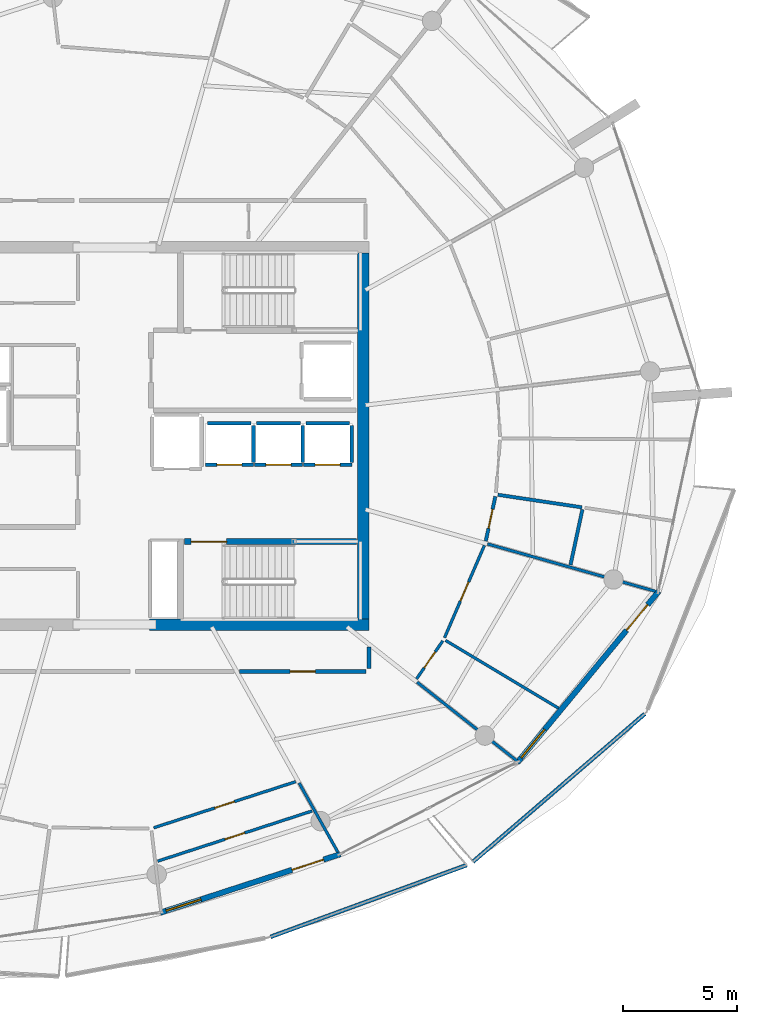
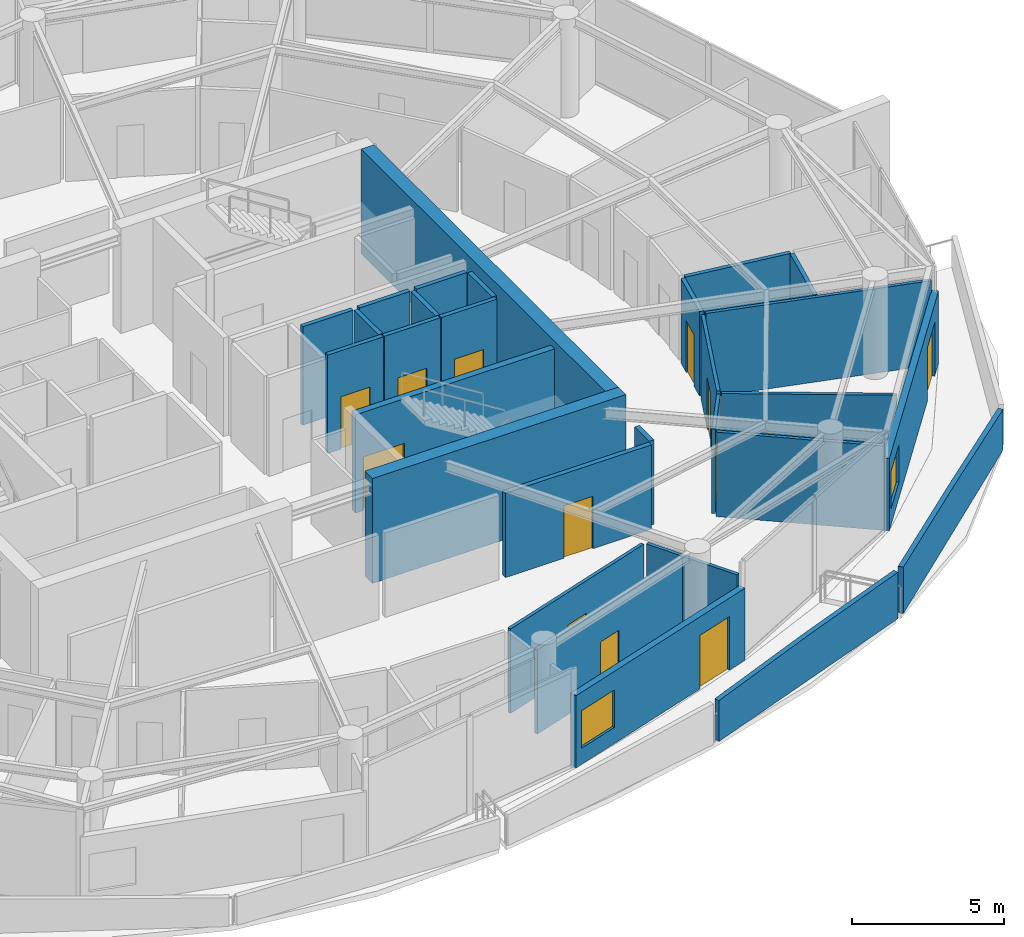
# One storey, part 12 of 20: 29 walls, 12 doors, 2 windows, 14 openings.
"""IFC4 building model written with IfcOpenShell, lengths in metres."""

from ifc_helpers import new_model, si_unit, direction, frame, frame_2d, origin, place, context, subcontext, project, spatial, polyline, rectangle, outline, extrude, material, layer, layer_set, type_object, element, fill, save


model = new_model("IFC4")

# Units and contexts
model_context = context("Model", 3, precision=1e-05, world=origin(), true_north=direction((0.0, 1.0)))
body_context = subcontext(model_context, "Body", "Model", "MODEL_VIEW")
ifc_project = project(units=[si_unit("LENGTHUNIT", "METRE"), si_unit("AREAUNIT", "SQUARE_METRE"), si_unit("VOLUMEUNIT", "CUBIC_METRE"), si_unit("PLANEANGLEUNIT", "RADIAN"), si_unit("MASSUNIT", "GRAM", prefix="KILO")], contexts=[model_context])

# Site, building, storey
site_placement = place(None, origin())
site = spatial("IfcSite", under=ifc_project, at=site_placement, CompositionType="ELEMENT")
building_placement = place(site_placement, origin())
building = spatial("IfcBuilding", under=site, at=building_placement, Name="Kazma Halo Residences", CompositionType="ELEMENT")
storey_placement = place(building_placement, frame((0.0, 0.0, 317.89990234375)))
storey = spatial("IfcBuildingStorey", under=building, at=storey_placement, Name="L80", CompositionType="ELEMENT", Elevation=317.89990234375)

# Walls
ifc_material_1 = material(Name="White Concrete C50/60 Balustrade", Category="concrete")
ifc_layer_1 = layer(ifc_material_1, 0.179931640625)
ifc_layer_set_1 = layer_set([ifc_layer_1], Name="White Concrete C50/60 Balustrade")
wall_type_1 = type_object("IfcWallType", Name="WL-BAL-WAVE-180", PredefinedType="PARAPET", material=ifc_layer_set_1)
wall_1_placement = place(storey_placement, frame((55.24658203125, 20.085205078125, 0.0), z_axis=(0.0, 0.0, 1.0), x_axis=(0.939115079022, 0.343602776987, 0.0)))
element("IfcWall", 1, at=wall_1_placement, inside=storey, type_object=wall_type_1, Name="L80 white wave balustrade wall SSE.2", PredefinedType="PARAPET", context=body_context, shape_type="SweptSolid", body=[
    extrude(outline(polyline([(0.0, 0.0), (9.14599609375, 0.0), (9.14599609375, 1.860107421875), (4.572998046875, 1.798095703125), (0.0, 1.632080078125), (0.0, 0.0)])), frame((0.0, 0.08984375, 0.0), z_axis=(0.0, -1.0, 0.0), x_axis=(1.0, 0.0, 0.0)), (0.0, 0.0, 1.0), 0.179931640625),
])
wall_2_placement = place(storey_placement, frame((64.107177734375, 23.37255859375, 0.0), z_axis=(0.0, 0.0, 1.0), x_axis=(0.757886838831, 0.652386035662, 0.0)))
element("IfcWall", 2, at=wall_2_placement, inside=storey, type_object=wall_type_1, Name="L80 white wave balustrade wall SE.1", PredefinedType="PARAPET", context=body_context, shape_type="SweptSolid", body=[
    extrude(outline(polyline([(0.0, 0.0), (9.91357421875, 0.0), (9.913818359375, 1.632080078125), (4.956787109375, 1.798095703125), (0.0, 1.860107421875), (0.0, 0.0)])), frame((0.0, 0.08984375, 0.0), z_axis=(0.0, -1.0, 0.0), x_axis=(1.0, 0.0, 0.0)), (0.0, 0.0, 1.0), 0.179931640625),
])
ifc_material_2 = material(Name="Concrete C60/75", Category="concrete")
ifc_layer_2 = layer(ifc_material_2, 0.5)
ifc_layer_set_2 = layer_set([ifc_layer_2], Name="Concrete C60/75")
wall_type_2 = type_object("IfcWallType", Name="WL-CORE-500", PredefinedType="SHEAR", material=ifc_layer_set_2)
wall_3_placement = place(storey_placement, frame((49.949951171875, 33.75, 0.0), z_axis=(0.0, 0.0, 1.0), x_axis=(1.0, 0.0, 0.0)))
element("IfcWall", 3, at=wall_3_placement, inside=storey, type_object=wall_type_2, Name="L80 central core shear wall SE", PredefinedType="SHEAR", context=body_context, shape_type="SweptSolid", body=[
    extrude(rectangle(XDim=9.60009765625, YDim=0.5, at=frame_2d((4.800048828125, 0.0))), origin(), (0.0, 0.0, 1.0), 4.2001953125),
])
wall_4_placement = place(storey_placement, frame((59.300048828125, 34.0, 0.0), z_axis=(0.0, 0.0, 1.0), x_axis=(0.0, 1.0, 0.0)))
element("IfcWall", 4, at=wall_4_placement, inside=storey, type_object=wall_type_2, Name="L80 central core shear wall E", PredefinedType="SHEAR", context=body_context, shape_type="SweptSolid", body=[
    extrude(rectangle(XDim=16.0, YDim=0.5, at=frame_2d((8.0, 0.0))), origin(), (0.0, 0.0, 1.0), 4.2001953125),
])

# Wall, opening, door
ifc_material_3 = material(Name="Acoustic Twin-Stud Gypsum")
ifc_layer_3 = layer(ifc_material_3, 0.179931640625)
ifc_layer_set_3 = layer_set([ifc_layer_3], Name="Acoustic Twin-Stud Gypsum")
wall_type_3 = type_object("IfcWallType", Name="WL-DEM-180", PredefinedType="PARTITIONING", material=ifc_layer_set_3)
wall_5_placement = place(storey_placement, frame((53.88818359375, 31.699951171875, 0.0), z_axis=(0.0, 0.0, 1.0), x_axis=(1.0, 0.0, 0.0)))
wall_5 = element("IfcWall", 5, at=wall_5_placement, inside=storey, type_object=wall_type_3, Name="L80 Penthouse 2 entrance corridor wall", PredefinedType="PARTITIONING", context=body_context, shape_type="SweptSolid", body=[
    extrude(rectangle(XDim=5.541748046875, YDim=0.179931640625, at=frame_2d((2.77099609375, 0.0))), origin(), (0.0, 0.0, 1.0), 3.380126953125),
])
opening_1_placement = place(wall_5_placement, frame((2.220703125, 0.0, 0.0)))
opening_1 = element("IfcOpeningElement", 6, at=opening_1_placement, cuts=wall_5, Name="Opening DA-1100", PredefinedType="OPENING", context=body_context, shape_type="SweptSolid", body=[
    extrude(rectangle(XDim=1.10009765625, YDim=2.10009765625, at=frame_2d((0.550048828125, 1.050048828125))), frame((0.0, 0.099853515625, 0.0), z_axis=(0.0, -1.0, 0.0), x_axis=(1.0, 0.0, 0.0)), (0.0, 0.0, 1.0), 0.199951171875),
])
ifc_material_4 = material(Name="Acoustic Walnut Fire Leaf")
door_type_1 = type_object("IfcDoorType", Name="DR-FD60-1100", OperationType="NOTDEFINED", PredefinedType="DOOR", material=ifc_material_4)
door_1_placement = place(opening_1_placement, origin())
door_1 = element("IfcDoor", 7, at=door_1_placement, inside=storey, type_object=door_type_1, Name="L80 Penthouse 2 entrance fire door", OperationType="SINGLE_SWING_LEFT", OverallHeight=2.10009765625, OverallWidth=1.10009765625, PredefinedType="DOOR", context=body_context, shape_type="SweptSolid", body=[
    extrude(rectangle(XDim=1.10009765625, YDim=2.10009765625, at=frame_2d((0.550048828125, 1.050048828125))), frame((0.0, 0.02490234375, 0.0), z_axis=(0.0, -1.0, 0.0), x_axis=(1.0, 0.0, 0.0)), (0.0, 0.0, 1.0), 0.050048828125),
])
fill(opening_1, door_1)

# Wall
wall_6_placement = place(storey_placement, frame((59.550048828125, 31.820068359375, 0.0), z_axis=(0.0, 0.0, 1.0), x_axis=(0.0, 1.0, 0.0)))
element("IfcWall", 8, at=wall_6_placement, inside=storey, type_object=wall_type_3, Name="L80 Penthouse 2 entrance corridor wall", PredefinedType="PARTITIONING", context=body_context, shape_type="SweptSolid", body=[
    extrude(rectangle(XDim=0.95458984375, YDim=0.179931640625, at=frame_2d((0.477294921875, 0.0))), origin(), (0.0, 0.0, 1.0), 3.380126953125),
])

# Wall, openings, door, window
ifc_material_5 = material(Name="Insulated Pale-Metal Composite Wall")
ifc_layer_4 = layer(ifc_material_5, 0.239990234375)
ifc_layer_set_4 = layer_set([ifc_layer_4], Name="Insulated Pale-Metal Composite Wall")
wall_type_4 = type_object("IfcWallType", Name="WL-EXT-HOST-240", PredefinedType="SOLIDWALL", material=ifc_layer_set_4)
wall_7_placement = place(storey_placement, frame((50.419189453125, 21.142578125, 0.0), z_axis=(0.0, 0.0, 1.0), x_axis=(0.951053547111, 0.309026132434, 0.0)))
wall_7 = element("IfcWall", 9, at=wall_7_placement, inside=storey, type_object=wall_type_4, Name="L80 exterior terrace-access wall B12", PredefinedType="SOLIDWALL", context=body_context, shape_type="SweptSolid", body=[
    extrude(rectangle(XDim=8.2890625, YDim=0.239990234375, at=frame_2d((4.14453125, 0.0))), origin(), (0.0, 0.0, 1.0), 2.89013671875),
])
opening_2_placement = place(wall_7_placement, frame((6.06884765625, 0.0, 0.0)))
opening_2 = element("IfcOpeningElement", 10, at=opening_2_placement, cuts=wall_7, Name="Opening DTR-1600", PredefinedType="OPENING", context=body_context, shape_type="SweptSolid", body=[
    extrude(rectangle(XDim=1.449951171875, YDim=2.14990234375, at=frame_2d((0.72509765625, 1.074951171875))), frame((0.0, 0.1298828125, 0.0), z_axis=(0.0, -1.0, 0.0), x_axis=(1.0, 0.0, 0.0)), (0.0, 0.0, 1.0), 0.260009765625),
])
opening_3_placement = place(wall_7_placement, frame((0.280029296875, 0.0, 0.64990234375)))
opening_3 = element("IfcOpeningElement", 11, at=opening_3_placement, cuts=wall_7, Name="Opening W-1800", PredefinedType="OPENING", context=body_context, shape_type="SweptSolid", body=[
    extrude(rectangle(XDim=1.60009765625, YDim=1.5, at=frame_2d((0.800048828125, 0.75))), frame((0.0, 0.1298828125, 0.0), z_axis=(0.0, -1.0, 0.0), x_axis=(1.0, 0.0, 0.0)), (0.0, 0.0, 1.0), 0.260009765625),
])
ifc_material_6 = material(Name="Aluminium AW-6063 T6 Double-Glazed Terrace Door", Category="aluminium")
door_type_2 = type_object("IfcDoorType", Name="DR-EXT-TERR-1600", OperationType="NOTDEFINED", PredefinedType="DOOR", material=ifc_material_6)
door_2_placement = place(opening_2_placement, origin())
door_2 = element("IfcDoor", 12, at=door_2_placement, inside=storey, type_object=door_type_2, Name="L80 B12 balcony terrace door", OperationType="DOUBLE_DOOR_SLIDING", OverallHeight=2.14990234375, OverallWidth=1.449951171875, PredefinedType="DOOR", context=body_context, shape_type="SweptSolid", body=[
    extrude(rectangle(XDim=1.449951171875, YDim=2.14990234375, at=frame_2d((0.72509765625, 1.074951171875))), frame((0.0, 0.02490234375, 0.0), z_axis=(0.0, -1.0, 0.0), x_axis=(1.0, 0.0, 0.0)), (0.0, 0.0, 1.0), 0.050048828125),
])
fill(opening_2, door_2)
ifc_material_7 = material(Name="Clear Triple-Silver Low-E Glass in Aluminium AW-6063 T6 Frame", Category="aluminium")
window_type = type_object("IfcWindowType", Name="WIN-RES-1800", PartitioningType="DOUBLE_PANEL_VERTICAL", PredefinedType="WINDOW", material=ifc_material_7)
window_1_placement = place(opening_3_placement, origin())
window_1 = element("IfcWindow", 13, at=window_1_placement, inside=storey, type_object=window_type, Name="L80 B12 apartment window", OverallHeight=1.5, OverallWidth=1.60009765625, PartitioningType="SINGLE_PANEL", PredefinedType="WINDOW", context=body_context, shape_type="SweptSolid", body=[
    extrude(rectangle(XDim=1.60009765625, YDim=1.5, at=frame_2d((0.800048828125, 0.75))), frame((0.0, 0.030029296875, 0.0), z_axis=(0.0, -1.0, 0.0), x_axis=(1.0, 0.0, 0.0)), (0.0, 0.0, 1.0), 0.06005859375),
])
fill(opening_3, window_1)

wall_8_placement = place(storey_placement, frame((66.044677734375, 27.711181640625, 0.0), z_axis=(0.0, 0.0, 1.0), x_axis=(0.636803612721, 0.771026042897, 0.0)))
wall_8 = element("IfcWall", 14, at=wall_8_placement, inside=storey, type_object=wall_type_4, Name="L80 exterior terrace-access wall B14", PredefinedType="SOLIDWALL", context=body_context, shape_type="SweptSolid", body=[
    extrude(rectangle(XDim=9.7275390625, YDim=0.239990234375, at=frame_2d((4.86376953125, 0.0))), origin(), (0.0, 0.0, 1.0), 2.89013671875),
])
opening_4_placement = place(wall_8_placement, frame((7.5078125, 0.0, 0.0)))
opening_4 = element("IfcOpeningElement", 15, at=opening_4_placement, cuts=wall_8, Name="Opening DTR-1600", PredefinedType="OPENING", context=body_context, shape_type="SweptSolid", body=[
    extrude(rectangle(XDim=1.449951171875, YDim=2.14990234375, at=frame_2d((0.72509765625, 1.074951171875))), frame((0.0, 0.1298828125, 0.0), z_axis=(0.0, -1.0, 0.0), x_axis=(1.0, 0.0, 0.0)), (0.0, 0.0, 1.0), 0.260009765625),
])
opening_5_placement = place(wall_8_placement, frame((0.280029296875, 0.0, 0.64990234375)))
opening_5 = element("IfcOpeningElement", 16, at=opening_5_placement, cuts=wall_8, Name="Opening W-1800", PredefinedType="OPENING", context=body_context, shape_type="SweptSolid", body=[
    extrude(rectangle(XDim=1.60009765625, YDim=1.5, at=frame_2d((0.800048828125, 0.75))), frame((0.0, 0.1298828125, 0.0), z_axis=(0.0, -1.0, 0.0), x_axis=(1.0, 0.0, 0.0)), (0.0, 0.0, 1.0), 0.260009765625),
])
door_3_placement = place(opening_4_placement, origin())
door_3 = element("IfcDoor", 17, at=door_3_placement, inside=storey, type_object=door_type_2, Name="L80 B14 balcony terrace door", OperationType="DOUBLE_DOOR_SLIDING", OverallHeight=2.14990234375, OverallWidth=1.449951171875, PredefinedType="DOOR", context=body_context, shape_type="SweptSolid", body=[
    extrude(rectangle(XDim=1.449951171875, YDim=2.14990234375, at=frame_2d((0.72509765625, 1.074951171875))), frame((0.0, 0.02490234375, 0.0), z_axis=(0.0, -1.0, 0.0), x_axis=(1.0, 0.0, 0.0)), (0.0, 0.0, 1.0), 0.050048828125),
])
fill(opening_4, door_3)
window_2_placement = place(opening_5_placement, origin())
window_2 = element("IfcWindow", 18, at=window_2_placement, inside=storey, type_object=window_type, Name="L80 B14 apartment window", OverallHeight=1.5, OverallWidth=1.60009765625, PartitioningType="SINGLE_PANEL", PredefinedType="WINDOW", context=body_context, shape_type="SweptSolid", body=[
    extrude(rectangle(XDim=1.60009765625, YDim=1.5, at=frame_2d((0.800048828125, 0.75))), frame((0.0, 0.030029296875, 0.0), z_axis=(0.0, -1.0, 0.0), x_axis=(1.0, 0.0, 0.0)), (0.0, 0.0, 1.0), 0.06005859375),
])
fill(opening_5, window_2)

# Wall, opening, door
ifc_material_8 = material(Name="Fire-Rated Blockwork Masonry", Category="masonry")
ifc_layer_5 = layer(ifc_material_8, 0.199951171875)
ifc_layer_set_5 = layer_set([ifc_layer_5], Name="Fire-Rated Blockwork Masonry")
wall_type_5 = type_object("IfcWallType", Name="WL-FLB-200", PredefinedType="PARTITIONING", material=ifc_layer_set_5)
wall_9_placement = place(storey_placement, frame((54.5048828125, 40.7451171875, 0.0), z_axis=(0.0, 0.0, 1.0), x_axis=(-1.0, 0.0, 0.0)))
wall_9 = element("IfcWall", 19, at=wall_9_placement, inside=storey, type_object=wall_type_5, Name="L80 lift shaft PH-01 front wall", PredefinedType="PARTITIONING", context=body_context, shape_type="SweptSolid", body=[
    extrude(rectangle(XDim=2.10986328125, YDim=0.159912109375, at=frame_2d((1.054931640625, 0.0))), origin(), (0.0, 0.0, 1.0), 3.940185546875),
])
opening_6_placement = place(wall_9_placement, frame((0.5048828125, 0.0, 0.0)))
opening_6 = element("IfcOpeningElement", 20, at=opening_6_placement, cuts=wall_9, Name="Opening LD-PH-01", PredefinedType="OPENING", context=body_context, shape_type="SweptSolid", body=[
    extrude(rectangle(XDim=1.10009765625, YDim=2.10009765625, at=frame_2d((0.550048828125, 1.050048828125))), frame((0.0, 0.08984375, 0.0), z_axis=(0.0, -1.0, 0.0), x_axis=(1.0, 0.0, 0.0)), (0.0, 0.0, 1.0), 0.179931640625),
])
ifc_material_9 = material(Name="Stainless Steel Fire-Rated", Category="steel")
door_type_3 = type_object("IfcDoorType", Name="DR-LIFT-SLD-1100", OperationType="DOUBLE_DOOR_SLIDING", PredefinedType="DOOR", material=ifc_material_9)
door_4_placement = place(opening_6_placement, origin())
door_4 = element("IfcDoor", 21, at=door_4_placement, inside=storey, type_object=door_type_3, Name="L80 lift PH-01 sliding landing door", OperationType="DOUBLE_DOOR_SLIDING", OverallHeight=2.10009765625, OverallWidth=1.10009765625, PredefinedType="DOOR", context=body_context, shape_type="SweptSolid", body=[
    extrude(rectangle(XDim=1.10009765625, YDim=2.10009765625, at=frame_2d((0.550048828125, 1.050048828125))), frame((0.0, 0.02490234375, 0.0), z_axis=(0.0, -1.0, 0.0), x_axis=(1.0, 0.0, 0.0)), (0.0, 0.0, 1.0), 0.050048828125),
])
fill(opening_6, door_4)

# Walls
wall_10_placement = place(storey_placement, frame((54.5048828125, 40.844970703125, 0.0), z_axis=(0.0, 0.0, 1.0), x_axis=(0.0, 1.0, 0.0)))
element("IfcWall", 22, at=wall_10_placement, inside=storey, type_object=wall_type_5, Name="L80 lift shaft PH-01 side wall E", PredefinedType="PARTITIONING", context=body_context, shape_type="SweptSolid", body=[
    extrude(rectangle(XDim=1.610107421875, YDim=0.159912109375, at=frame_2d((0.80517578125, 0.0))), origin(), (0.0, 0.0, 1.0), 3.940185546875),
])
wall_11_placement = place(storey_placement, frame((52.4951171875, 42.554931640625, 0.0), z_axis=(0.0, 0.0, 1.0), x_axis=(1.0, 0.0, 0.0)))
element("IfcWall", 23, at=wall_11_placement, inside=storey, type_object=wall_type_5, Name="L80 lift shaft PH-01 side wall N", PredefinedType="PARTITIONING", context=body_context, shape_type="SweptSolid", body=[
    extrude(rectangle(XDim=1.909912109375, YDim=0.159912109375, at=frame_2d((0.955078125, 0.0))), origin(), (0.0, 0.0, 1.0), 3.940185546875),
])

# Wall, opening, door
wall_12_placement = place(storey_placement, frame((56.655029296875, 40.7451171875, 0.0), z_axis=(0.0, 0.0, 1.0), x_axis=(-1.0, 0.0, 0.0)))
wall_12 = element("IfcWall", 24, at=wall_12_placement, inside=storey, type_object=wall_type_5, Name="L80 lift shaft PH-02 front wall", PredefinedType="PARTITIONING", context=body_context, shape_type="SweptSolid", body=[
    extrude(rectangle(XDim=2.110107421875, YDim=0.159912109375, at=frame_2d((1.05517578125, 0.0))), origin(), (0.0, 0.0, 1.0), 3.940185546875),
])
opening_7_placement = place(wall_12_placement, frame((0.5048828125, 0.0, 0.0)))
opening_7 = element("IfcOpeningElement", 25, at=opening_7_placement, cuts=wall_12, Name="Opening LD-PH-02", PredefinedType="OPENING", context=body_context, shape_type="SweptSolid", body=[
    extrude(rectangle(XDim=1.10009765625, YDim=2.10009765625, at=frame_2d((0.550048828125, 1.050048828125))), frame((0.0, 0.08984375, 0.0), z_axis=(0.0, -1.0, 0.0), x_axis=(1.0, 0.0, 0.0)), (0.0, 0.0, 1.0), 0.179931640625),
])
door_5_placement = place(opening_7_placement, origin())
door_5 = element("IfcDoor", 26, at=door_5_placement, inside=storey, type_object=door_type_3, Name="L80 lift PH-02 sliding landing door", OperationType="DOUBLE_DOOR_SLIDING", OverallHeight=2.10009765625, OverallWidth=1.10009765625, PredefinedType="DOOR", context=body_context, shape_type="SweptSolid", body=[
    extrude(rectangle(XDim=1.10009765625, YDim=2.10009765625, at=frame_2d((0.550048828125, 1.050048828125))), frame((0.0, 0.02490234375, 0.0), z_axis=(0.0, -1.0, 0.0), x_axis=(1.0, 0.0, 0.0)), (0.0, 0.0, 1.0), 0.050048828125),
])
fill(opening_7, door_5)

# Walls
wall_13_placement = place(storey_placement, frame((56.655029296875, 40.844970703125, 0.0), z_axis=(0.0, 0.0, 1.0), x_axis=(0.0, 1.0, 0.0)))
element("IfcWall", 27, at=wall_13_placement, inside=storey, type_object=wall_type_5, Name="L80 lift shaft PH-02 side wall E", PredefinedType="PARTITIONING", context=body_context, shape_type="SweptSolid", body=[
    extrude(rectangle(XDim=1.610107421875, YDim=0.159912109375, at=frame_2d((0.80517578125, 0.0))), origin(), (0.0, 0.0, 1.0), 3.940185546875),
])
wall_14_placement = place(storey_placement, frame((54.64501953125, 42.554931640625, 0.0), z_axis=(0.0, 0.0, 1.0), x_axis=(1.0, 0.0, 0.0)))
element("IfcWall", 28, at=wall_14_placement, inside=storey, type_object=wall_type_5, Name="L80 lift shaft PH-02 side wall N", PredefinedType="PARTITIONING", context=body_context, shape_type="SweptSolid", body=[
    extrude(rectangle(XDim=1.909912109375, YDim=0.159912109375, at=frame_2d((0.955078125, 0.0))), origin(), (0.0, 0.0, 1.0), 3.940185546875),
])

# Wall, opening, door
wall_15_placement = place(storey_placement, frame((58.804931640625, 40.7451171875, 0.0), z_axis=(0.0, 0.0, 1.0), x_axis=(-1.0, 0.0, 0.0)))
wall_15 = element("IfcWall", 29, at=wall_15_placement, inside=storey, type_object=wall_type_5, Name="L80 lift shaft PH-03 front wall", PredefinedType="PARTITIONING", context=body_context, shape_type="SweptSolid", body=[
    extrude(rectangle(XDim=2.10986328125, YDim=0.159912109375, at=frame_2d((1.054931640625, 0.0))), origin(), (0.0, 0.0, 1.0), 3.940185546875),
])
opening_8_placement = place(wall_15_placement, frame((0.5048828125, 0.0, 0.0)))
opening_8 = element("IfcOpeningElement", 30, at=opening_8_placement, cuts=wall_15, Name="Opening LD-PH-03", PredefinedType="OPENING", context=body_context, shape_type="SweptSolid", body=[
    extrude(rectangle(XDim=1.10009765625, YDim=2.10009765625, at=frame_2d((0.550048828125, 1.050048828125))), frame((0.0, 0.08984375, 0.0), z_axis=(0.0, -1.0, 0.0), x_axis=(1.0, 0.0, 0.0)), (0.0, 0.0, 1.0), 0.179931640625),
])
door_6_placement = place(opening_8_placement, origin())
door_6 = element("IfcDoor", 31, at=door_6_placement, inside=storey, type_object=door_type_3, Name="L80 lift PH-03 sliding landing door", OperationType="DOUBLE_DOOR_SLIDING", OverallHeight=2.10009765625, OverallWidth=1.10009765625, PredefinedType="DOOR", context=body_context, shape_type="SweptSolid", body=[
    extrude(rectangle(XDim=1.10009765625, YDim=2.10009765625, at=frame_2d((0.550048828125, 1.050048828125))), frame((0.0, 0.02490234375, 0.0), z_axis=(0.0, -1.0, 0.0), x_axis=(1.0, 0.0, 0.0)), (0.0, 0.0, 1.0), 0.050048828125),
])
fill(opening_8, door_6)

# Walls
wall_16_placement = place(storey_placement, frame((58.804931640625, 40.844970703125, 0.0), z_axis=(0.0, 0.0, 1.0), x_axis=(0.0, 1.0, 0.0)))
element("IfcWall", 32, at=wall_16_placement, inside=storey, type_object=wall_type_5, Name="L80 lift shaft PH-03 side wall E", PredefinedType="PARTITIONING", context=body_context, shape_type="SweptSolid", body=[
    extrude(rectangle(XDim=1.610107421875, YDim=0.159912109375, at=frame_2d((0.80517578125, 0.0))), origin(), (0.0, 0.0, 1.0), 3.940185546875),
])
wall_17_placement = place(storey_placement, frame((56.794921875, 42.554931640625, 0.0), z_axis=(0.0, 0.0, 1.0), x_axis=(1.0, 0.0, 0.0)))
element("IfcWall", 33, at=wall_17_placement, inside=storey, type_object=wall_type_5, Name="L80 lift shaft PH-03 side wall N", PredefinedType="PARTITIONING", context=body_context, shape_type="SweptSolid", body=[
    extrude(rectangle(XDim=1.91015625, YDim=0.159912109375, at=frame_2d((0.955078125, 0.0))), origin(), (0.0, 0.0, 1.0), 3.940185546875),
])
ifc_material_10 = material(Name="Gypsum Plasterboard Partition")
ifc_layer_6 = layer(ifc_material_10, 0.125)
ifc_layer_set_6 = layer_set([ifc_layer_6], Name="Gypsum Plasterboard Partition")
wall_type_6 = type_object("IfcWallType", Name="WL-PART-125", PredefinedType="PARTITIONING", material=ifc_layer_set_6)
wall_18_placement = place(storey_placement, frame((56.5, 26.822021484375, 0.0), z_axis=(0.0, 0.0, 1.0), x_axis=(0.488618382742, -0.872497608047, 0.0)))
element("IfcWall", 34, at=wall_18_placement, inside=storey, type_object=wall_type_6, Name="L80 Penthouse 2 living radial partition 11", PredefinedType="PARTITIONING", context=body_context, shape_type="SweptSolid", body=[
    extrude(rectangle(XDim=3.466064453125, YDim=0.125, at=frame_2d((1.73291015625, 0.0))), origin(), (0.0, 0.0, 1.0), 3.380126953125),
])

# Wall, opening, door
wall_19_placement = place(storey_placement, frame((50.137451171875, 24.85791015625, 0.0), z_axis=(0.0, 0.0, 1.0), x_axis=(0.95106401822, 0.30899390487, 0.0)))
wall_19 = element("IfcWall", 35, at=wall_19_placement, inside=storey, type_object=wall_type_6, Name="L80 Penthouse 2 Inner Study hall wall", PredefinedType="PARTITIONING", context=body_context, shape_type="SweptSolid", body=[
    extrude(rectangle(XDim=6.52880859375, YDim=0.125, at=frame_2d((3.264404296875, 0.0))), origin(), (0.0, 0.0, 1.0), 3.380126953125),
])
opening_9_placement = place(wall_19_placement, frame((2.814208984375, 0.0, 0.0)))
opening_9 = element("IfcOpeningElement", 36, at=opening_9_placement, cuts=wall_19, Name="Opening DI-950", PredefinedType="OPENING", context=body_context, shape_type="SweptSolid", body=[
    extrude(rectangle(XDim=0.89990234375, YDim=2.080078125, at=frame_2d((0.449951171875, 1.0400390625))), frame((0.0, 0.072509765625, 0.0), z_axis=(0.0, -1.0, 0.0), x_axis=(1.0, 0.0, 0.0)), (0.0, 0.0, 1.0), 0.14501953125),
])
ifc_material_11 = material(Name="Timber Veneer Flush Leaf", Category="wood")
door_type_4 = type_object("IfcDoorType", Name="DR-INT-950", OperationType="NOTDEFINED", PredefinedType="DOOR", material=ifc_material_11)
door_7_placement = place(opening_9_placement, origin())
door_7 = element("IfcDoor", 37, at=door_7_placement, inside=storey, type_object=door_type_4, Name="L80 Penthouse 2 Inner Study door", OperationType="SINGLE_SWING_RIGHT", OverallHeight=2.080078125, OverallWidth=0.89990234375, PredefinedType="DOOR", context=body_context, shape_type="SweptSolid", body=[
    extrude(rectangle(XDim=0.89990234375, YDim=2.080078125, at=frame_2d((0.449951171875, 1.0400390625))), frame((0.0, 0.02490234375, 0.0), z_axis=(0.0, -1.0, 0.0), x_axis=(1.0, 0.0, 0.0)), (0.0, 0.0, 1.0), 0.050048828125),
])
fill(opening_9, door_7)

wall_20_placement = place(storey_placement, frame((50.310302734375, 23.398193359375, 0.0), z_axis=(0.0, 0.0, 1.0), x_axis=(0.951062105288, 0.308999792693, 0.0)))
wall_20 = element("IfcWall", 38, at=wall_20_placement, inside=storey, type_object=wall_type_6, Name="L80 Penthouse 2 Outer Bedroom divider wall", PredefinedType="PARTITIONING", context=body_context, shape_type="SweptSolid", body=[
    extrude(rectangle(XDim=7.102294921875, YDim=0.125, at=frame_2d((3.55126953125, 0.0))), origin(), (0.0, 0.0, 1.0), 3.380126953125),
])
opening_10_placement = place(wall_20_placement, frame((3.10107421875, 0.0, 0.0)))
opening_10 = element("IfcOpeningElement", 39, at=opening_10_placement, cuts=wall_20, Name="Opening DI-950", PredefinedType="OPENING", context=body_context, shape_type="SweptSolid", body=[
    extrude(rectangle(XDim=0.89990234375, YDim=2.080078125, at=frame_2d((0.449951171875, 1.0400390625))), frame((0.0, 0.072509765625, 0.0), z_axis=(0.0, -1.0, 0.0), x_axis=(1.0, 0.0, 0.0)), (0.0, 0.0, 1.0), 0.14501953125),
])
door_8_placement = place(opening_10_placement, origin())
door_8 = element("IfcDoor", 40, at=door_8_placement, inside=storey, type_object=door_type_4, Name="L80 Penthouse 2 Outer Bedroom door", OperationType="SINGLE_SWING_LEFT", OverallHeight=2.080078125, OverallWidth=0.89990234375, PredefinedType="DOOR", context=body_context, shape_type="SweptSolid", body=[
    extrude(rectangle(XDim=0.89990234375, YDim=2.080078125, at=frame_2d((0.449951171875, 1.0400390625))), frame((0.0, 0.02490234375, 0.0), z_axis=(0.0, -1.0, 0.0), x_axis=(1.0, 0.0, 0.0)), (0.0, 0.0, 1.0), 0.050048828125),
])
fill(opening_10, door_8)

# Walls
wall_21_placement = place(storey_placement, frame((61.661376953125, 31.230224609375, 0.0), z_axis=(0.0, 0.0, 1.0), x_axis=(0.785321366699, -0.61908832246, 0.0)))
element("IfcWall", 41, at=wall_21_placement, inside=storey, type_object=wall_type_6, Name="L80 Penthouse 2 radial partition 13", PredefinedType="PARTITIONING", context=body_context, shape_type="SweptSolid", body=[
    extrude(rectangle(XDim=5.59716796875, YDim=0.125, at=frame_2d((2.798583984375, 0.0))), origin(), (0.0, 0.0, 1.0), 3.380126953125),
])
wall_22_placement = place(storey_placement, frame((62.908935546875, 33.055908203125, 0.0), z_axis=(0.0, 0.0, 1.0), x_axis=(0.857530307065, -0.514433448043, 0.0)))
element("IfcWall", 42, at=wall_22_placement, inside=storey, type_object=wall_type_6, Name="L80 Penthouse 2 mid-bay wall 13", PredefinedType="PARTITIONING", context=body_context, shape_type="SweptSolid", body=[
    extrude(rectangle(XDim=5.762451171875, YDim=0.125, at=frame_2d((2.88134765625, 0.0))), origin(), (0.0, 0.0, 1.0), 3.380126953125),
])

# Wall, opening, door
wall_23_placement = place(storey_placement, frame((61.6396484375, 31.37451171875, 0.0), z_axis=(0.0, 0.0, 1.0), x_axis=(0.567882687213, 0.823109502778, 0.0)))
wall_23 = element("IfcWall", 43, at=wall_23_placement, inside=storey, type_object=wall_type_6, Name="L80 Penthouse 2 Corner Private Study hall wall", PredefinedType="PARTITIONING", context=body_context, shape_type="SweptSolid", body=[
    extrude(rectangle(XDim=2.019287109375, YDim=0.125, at=frame_2d((1.009765625, 0.0))), origin(), (0.0, 0.0, 1.0), 3.380126953125),
])
opening_11_placement = place(wall_23_placement, frame((0.584716796875, 0.0, 0.0)))
opening_11 = element("IfcOpeningElement", 44, at=opening_11_placement, cuts=wall_23, Name="Opening DB-900", PredefinedType="OPENING", context=body_context, shape_type="SweptSolid", body=[
    extrude(rectangle(XDim=0.85009765625, YDim=2.06005859375, at=frame_2d((0.425048828125, 1.030029296875))), frame((0.0, 0.072509765625, 0.0), z_axis=(0.0, -1.0, 0.0), x_axis=(1.0, 0.0, 0.0)), (0.0, 0.0, 1.0), 0.14501953125),
])
ifc_material_12 = material(Name="Moisture-Sealed Timber Leaf", Category="wood")
door_type_5 = type_object("IfcDoorType", Name="DR-BTH-900", OperationType="NOTDEFINED", PredefinedType="DOOR", material=ifc_material_12)
door_9_placement = place(opening_11_placement, origin())
door_9 = element("IfcDoor", 45, at=door_9_placement, inside=storey, type_object=door_type_5, Name="L80 Penthouse 2 Corner Private Study door", OperationType="SINGLE_SWING_RIGHT", OverallHeight=2.06005859375, OverallWidth=0.85009765625, PredefinedType="DOOR", context=body_context, shape_type="SweptSolid", body=[
    extrude(rectangle(XDim=0.85009765625, YDim=2.06005859375, at=frame_2d((0.425048828125, 1.030029296875))), frame((0.0, 0.02490234375, 0.0), z_axis=(0.0, -1.0, 0.0), x_axis=(1.0, 0.0, 0.0)), (0.0, 0.0, 1.0), 0.050048828125),
])
fill(opening_11, door_9)

wall_24_placement = place(storey_placement, frame((62.863525390625, 33.17578125, 0.0), z_axis=(0.0, 0.0, 1.0), x_axis=(0.396416875537, 0.918070618629, 0.0)))
wall_24 = element("IfcWall", 46, at=wall_24_placement, inside=storey, type_object=wall_type_6, Name="L80 Penthouse 2 Garden Master Bedroom hall wall", PredefinedType="PARTITIONING", context=body_context, shape_type="SweptSolid", body=[
    extrude(rectangle(XDim=4.39794921875, YDim=0.125, at=frame_2d((2.198974609375, 0.0))), origin(), (0.0, 0.0, 1.0), 3.380126953125),
])
opening_12_placement = place(wall_24_placement, frame((1.7490234375, 0.0, 0.0)))
opening_12 = element("IfcOpeningElement", 47, at=opening_12_placement, cuts=wall_24, Name="Opening DI-950", PredefinedType="OPENING", context=body_context, shape_type="SweptSolid", body=[
    extrude(rectangle(XDim=0.89990234375, YDim=2.080078125, at=frame_2d((0.449951171875, 1.0400390625))), frame((0.0, 0.072509765625, 0.0), z_axis=(0.0, -1.0, 0.0), x_axis=(1.0, 0.0, 0.0)), (0.0, 0.0, 1.0), 0.14501953125),
])
door_10_placement = place(opening_12_placement, origin())
door_10 = element("IfcDoor", 48, at=door_10_placement, inside=storey, type_object=door_type_4, Name="L80 Penthouse 2 Garden Master Bedroom door", OperationType="SINGLE_SWING_LEFT", OverallHeight=2.080078125, OverallWidth=0.89990234375, PredefinedType="DOOR", context=body_context, shape_type="SweptSolid", body=[
    extrude(rectangle(XDim=0.89990234375, YDim=2.080078125, at=frame_2d((0.449951171875, 1.0400390625))), frame((0.0, 0.02490234375, 0.0), z_axis=(0.0, -1.0, 0.0), x_axis=(1.0, 0.0, 0.0)), (0.0, 0.0, 1.0), 0.050048828125),
])
fill(opening_12, door_10)

# Wall
wall_25_placement = place(storey_placement, frame((64.742919921875, 37.278076171875, 0.0), z_axis=(0.0, 0.0, 1.0), x_axis=(0.962455248497, -0.271440407162, 0.0)))
element("IfcWall", 49, at=wall_25_placement, inside=storey, type_object=wall_type_6, Name="L80 Penthouse 2 radial partition 14", PredefinedType="PARTITIONING", context=body_context, shape_type="SweptSolid", body=[
    extrude(rectangle(XDim=7.630615234375, YDim=0.125, at=frame_2d((3.8154296875, 0.0))), origin(), (0.0, 0.0, 1.0), 3.380126953125),
])

# Wall, opening, door
ifc_material_13 = material(Name="Concrete C50/60", Category="concrete")
ifc_layer_7 = layer(ifc_material_13, 0.25)
ifc_layer_set_7 = layer_set([ifc_layer_7], Name="Concrete C50/60")
wall_type_7 = type_object("IfcWallType", Name="WL-SHF-250", PredefinedType="SOLIDWALL", material=ifc_layer_set_7)
wall_26_placement = place(storey_placement, frame((51.47998046875, 37.3798828125, 0.0), z_axis=(0.0, 0.0, 1.0), x_axis=(1.0, 0.0, 0.0)))
wall_26 = element("IfcWall", 50, at=wall_26_placement, inside=storey, type_object=wall_type_7, Name="L80 exit stair ST-03 enclosure wall", PredefinedType="SOLIDWALL", context=body_context, shape_type="SweptSolid", body=[
    extrude(rectangle(XDim=7.5400390625, YDim=0.25, at=frame_2d((3.77001953125, 0.0))), origin(), (0.0, 0.0, 1.0), 3.940185546875),
])
opening_13_placement = place(wall_26_placement, frame((0.300048828125, 0.0, 0.0)))
opening_13 = element("IfcOpeningElement", 51, at=opening_13_placement, cuts=wall_26, Name="Opening D-ST3", PredefinedType="OPENING", context=body_context, shape_type="SweptSolid", body=[
    extrude(rectangle(XDim=1.550048828125, YDim=2.14990234375, at=frame_2d((0.77490234375, 1.074951171875))), frame((0.0, 0.135009765625, 0.0), z_axis=(0.0, -1.0, 0.0), x_axis=(1.0, 0.0, 0.0)), (0.0, 0.0, 1.0), 0.27001953125),
])
ifc_material_14 = material(Name="Fire-Rated Double Steel Leaf", Category="steel")
door_type_6 = type_object("IfcDoorType", Name="DR-FD90-1550", OperationType="NOTDEFINED", PredefinedType="DOOR", material=ifc_material_14)
door_11_placement = place(opening_13_placement, origin())
door_11 = element("IfcDoor", 52, at=door_11_placement, inside=storey, type_object=door_type_6, Name="L80 exit stair ST-03 fire door", OperationType="DOUBLE_DOOR_SINGLE_SWING", OverallHeight=2.14990234375, OverallWidth=1.550048828125, PredefinedType="DOOR", context=body_context, shape_type="SweptSolid", body=[
    extrude(rectangle(XDim=1.550048828125, YDim=2.14990234375, at=frame_2d((0.77490234375, 1.074951171875))), frame((0.0, 0.02490234375, 0.0), z_axis=(0.0, -1.0, 0.0), x_axis=(1.0, 0.0, 0.0)), (0.0, 0.0, 1.0), 0.050048828125),
])
fill(opening_13, door_11)

ifc_material_15 = material(Name="Moisture-Resistant Gypsum")
ifc_layer_8 = layer(ifc_material_15, 0.14990234375)
ifc_layer_set_8 = layer_set([ifc_layer_8], Name="Moisture-Resistant Gypsum")
wall_type_8 = type_object("IfcWallType", Name="WL-WET-150", PredefinedType="PARTITIONING", material=ifc_layer_set_8)
wall_27_placement = place(storey_placement, frame((64.66748046875, 37.403076171875, 0.0), z_axis=(0.0, 0.0, 1.0), x_axis=(0.210189108437, 0.977660748263, 0.0)))
wall_27 = element("IfcWall", 53, at=wall_27_placement, inside=storey, type_object=wall_type_8, Name="L80 Penthouse 2 Sky En-Suite Bathroom hall wall", PredefinedType="PARTITIONING", context=body_context, shape_type="SweptSolid", body=[
    extrude(rectangle(XDim=1.99560546875, YDim=0.14990234375, at=frame_2d((0.997802734375, 0.0))), origin(), (0.0, 0.0, 1.0), 3.380126953125),
])
opening_14_placement = place(wall_27_placement, frame((0.57275390625, 0.0, 0.0)))
opening_14 = element("IfcOpeningElement", 54, at=opening_14_placement, cuts=wall_27, Name="Opening DB-900", PredefinedType="OPENING", context=body_context, shape_type="SweptSolid", body=[
    extrude(rectangle(XDim=0.85009765625, YDim=2.06005859375, at=frame_2d((0.425048828125, 1.030029296875))), frame((0.0, 0.0849609375, 0.0), z_axis=(0.0, -1.0, 0.0), x_axis=(1.0, 0.0, 0.0)), (0.0, 0.0, 1.0), 0.169921875),
])
door_12_placement = place(opening_14_placement, origin())
door_12 = element("IfcDoor", 55, at=door_12_placement, inside=storey, type_object=door_type_5, Name="L80 Penthouse 2 Sky En-Suite Bathroom door", OperationType="SINGLE_SWING_LEFT", OverallHeight=2.06005859375, OverallWidth=0.85009765625, PredefinedType="DOOR", context=body_context, shape_type="SweptSolid", body=[
    extrude(rectangle(XDim=0.85009765625, YDim=2.06005859375, at=frame_2d((0.425048828125, 1.030029296875))), frame((0.0, 0.02490234375, 0.0), z_axis=(0.0, -1.0, 0.0), x_axis=(1.0, 0.0, 0.0)), (0.0, 0.0, 1.0), 0.050048828125),
])
fill(opening_14, door_12)

# Walls
wall_28_placement = place(storey_placement, frame((68.373046875, 36.35791015625, 0.0), z_axis=(0.0, 0.0, 1.0), x_axis=(0.210093294538, 0.97768134256, 0.0)))
element("IfcWall", 56, at=wall_28_placement, inside=storey, type_object=wall_type_8, Name="L80 Penthouse 2 Sky En-Suite Bathroom back wall", PredefinedType="PARTITIONING", context=body_context, shape_type="SweptSolid", body=[
    extrude(rectangle(XDim=2.482177734375, YDim=0.14990234375, at=frame_2d((1.2412109375, 0.0))), origin(), (0.0, 0.0, 1.0), 3.380126953125),
])
wall_29_placement = place(storey_placement, frame((65.19482421875, 39.4287109375, 0.0), z_axis=(0.0, 0.0, 1.0), x_axis=(0.988997407038, -0.147932852576, 0.0)))
element("IfcWall", 57, at=wall_29_placement, inside=storey, type_object=wall_type_8, Name="L80 Penthouse 2 Sky En-Suite Bathroom side wall", PredefinedType="PARTITIONING", context=body_context, shape_type="SweptSolid", body=[
    extrude(rectangle(XDim=3.719970703125, YDim=0.14990234375, at=frame_2d((1.85986328125, 0.0))), origin(), (0.0, 0.0, 1.0), 3.380126953125),
])

save(model, "model.ifc")
